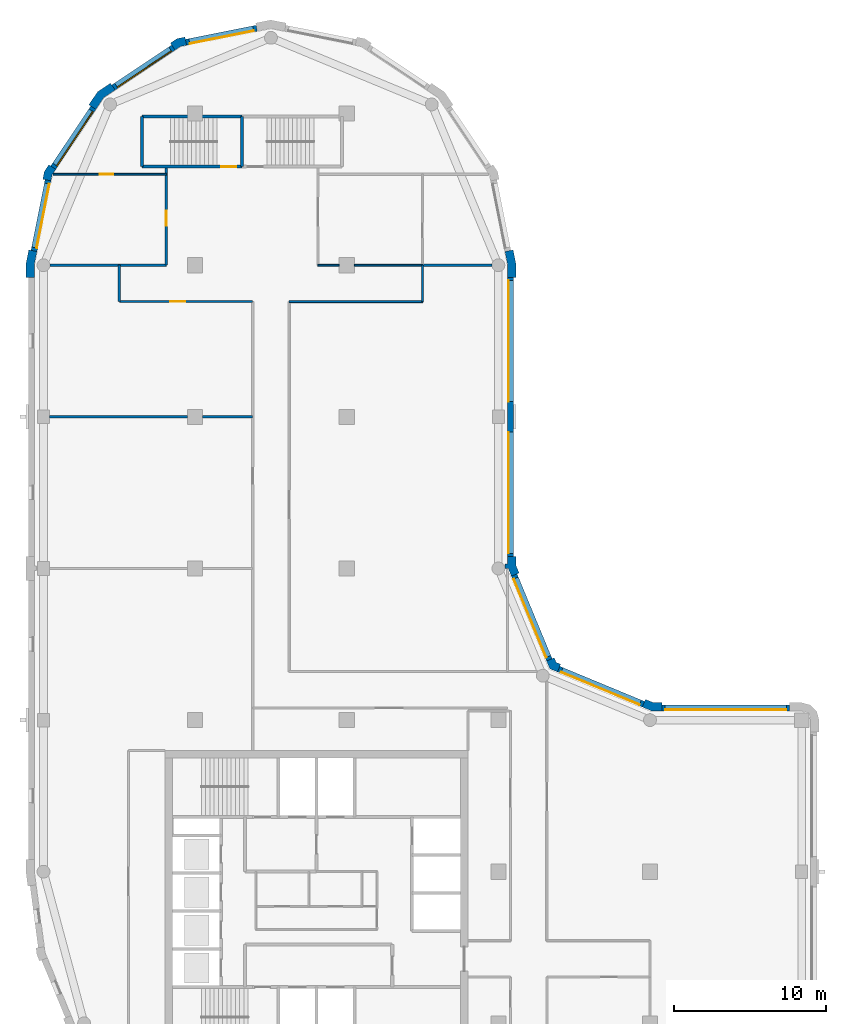
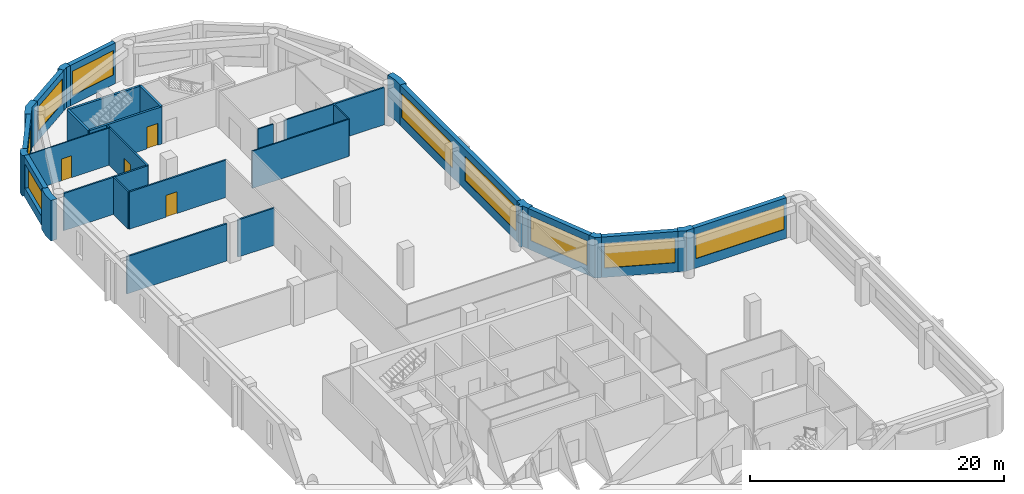
# One storey, part 5 of 9: 32 walls, 9 windows, 4 doors, 13 openings.
"""IFC4 building model written with IfcOpenShell, lengths in metres."""

from ifc_helpers import new_model, si_unit, direction, frame, frame_2d, origin, place, context, subcontext, project, spatial, polyline, rectangle, outline, extrude, material, layer, layer_set, type_object, element, fill, save


model = new_model("IFC4")

# Units and contexts
model_context = context("Model", 3, precision=1e-05, world=origin(), true_north=direction((0.0, 1.0)))
body_context = subcontext(model_context, "Body", "Model", "MODEL_VIEW")
ifc_project = project(units=[si_unit("LENGTHUNIT", "METRE"), si_unit("AREAUNIT", "SQUARE_METRE"), si_unit("VOLUMEUNIT", "CUBIC_METRE"), si_unit("PLANEANGLEUNIT", "RADIAN"), si_unit("MASSUNIT", "GRAM", prefix="KILO")], contexts=[model_context])

# Site, building, storey
site_placement = place(None, origin())
site = spatial("IfcSite", under=ifc_project, at=site_placement, CompositionType="ELEMENT")
building_placement = place(site_placement, origin())
building = spatial("IfcBuilding", under=site, at=building_placement, Name="Qaws Garden Tower", CompositionType="ELEMENT")
storey_placement = place(building_placement, frame((0.0, 0.0, 255.300048828125)))
storey = spatial("IfcBuildingStorey", under=building, at=storey_placement, Name="L61", CompositionType="ELEMENT", Elevation=255.300048828125)

# Wall, opening, window
ifc_material_1 = material(Name="Clay facing brick masonry", Category="masonry")
ifc_layer_1 = layer(ifc_material_1, 0.39990234375)
ifc_layer_set_1 = layer_set([ifc_layer_1], Name="Clay facing brick masonry")
wall_type_1 = type_object("IfcWallType", Name="Brick infill wall 400", PredefinedType="SOLIDWALL", material=ifc_layer_set_1)
wall_1_placement = place(storey_placement, frame((49.199951171875, 30.800048828125, 0.0), z_axis=(0.0, 0.0, 1.0), x_axis=(-1.0, 0.0, 0.0)))
wall_1 = element("IfcWall", 1, at=wall_1_placement, inside=storey, type_object=wall_type_1, Name="E-L61-infill-06", PredefinedType="SOLIDWALL", context=body_context, shape_type="SweptSolid", body=[
    extrude(rectangle(XDim=8.39990234375, YDim=0.39990234375, at=frame_2d((4.199951171875, 0.0))), origin(), (0.0, 0.0, 1.0), 3.89990234375),
])
opening_1_placement = place(wall_1_placement, frame((0.199951171875, 0.0, 0.89990234375)))
opening_1 = element("IfcOpeningElement", 2, at=opening_1_placement, cuts=wall_1, Name="Opening W01", PredefinedType="OPENING", context=body_context, shape_type="SweptSolid", body=[
    extrude(rectangle(XDim=8.0, YDim=2.35009765625, at=frame_2d((4.0, 1.175048828125))), frame((0.0, 0.2099609375, 0.0), z_axis=(0.0, -1.0, 0.0), x_axis=(1.0, 0.0, 0.0)), (0.0, 0.0, 1.0), 0.419921875),
])
ifc_material_2 = material(Name="Aluminium framed window, clear glazing", Category="aluminium")
window_type_1 = type_object("IfcWindowType", Name="Ribbon window 8000 x 2350", PartitioningType="DOUBLE_PANEL_VERTICAL", PredefinedType="WINDOW", material=ifc_material_2)
window_1_placement = place(opening_1_placement, origin())
window_1 = element("IfcWindow", 3, at=window_1_placement, inside=storey, type_object=window_type_1, Name="E-L61-window-06-0", OverallHeight=2.35009765625, OverallWidth=8.0, PartitioningType="SINGLE_PANEL", PredefinedType="WINDOW", context=body_context, shape_type="SweptSolid", body=[
    extrude(rectangle(XDim=8.0, YDim=2.35009765625, at=frame_2d((4.0, 1.175048828125))), frame((0.0, 0.159912109375, 0.0), z_axis=(0.0, -1.0, 0.0), x_axis=(1.0, 0.0, 0.0)), (0.0, 0.0, 1.0), 0.06005859375),
])
fill(opening_1, window_1)

wall_2_placement = place(storey_placement, frame((39.56689453125, 31.04541015625, 0.0), z_axis=(0.0, 0.0, 1.0), x_axis=(-0.923891000409, 0.382655745237, 0.0)))
wall_2 = element("IfcWall", 4, at=wall_2_placement, inside=storey, type_object=wall_type_1, Name="E-L61-infill-07", PredefinedType="SOLIDWALL", context=body_context, shape_type="SweptSolid", body=[
    extrude(rectangle(XDim=6.053466796875, YDim=0.39990234375, at=frame_2d((3.02685546875, 0.0))), origin(), (0.0, 0.0, 1.0), 3.89990234375),
])
opening_2_placement = place(wall_2_placement, frame((0.226806640625, 0.0, 0.89990234375)))
opening_2 = element("IfcOpeningElement", 5, at=opening_2_placement, cuts=wall_2, Name="Opening W04", PredefinedType="OPENING", context=body_context, shape_type="SweptSolid", body=[
    extrude(rectangle(XDim=5.60009765625, YDim=2.35009765625, at=frame_2d((2.800048828125, 1.175048828125))), frame((0.0, 0.2099609375, 0.0), z_axis=(0.0, -1.0, 0.0), x_axis=(1.0, 0.0, 0.0)), (0.0, 0.0, 1.0), 0.419921875),
])
ifc_material_3 = material(Name="Aluminium framed window, clear glazing", Category="aluminium")
window_type_2 = type_object("IfcWindowType", Name="Ribbon window 5600 x 2350", PartitioningType="DOUBLE_PANEL_VERTICAL", PredefinedType="WINDOW", material=ifc_material_3)
window_2_placement = place(opening_2_placement, origin())
window_2 = element("IfcWindow", 6, at=window_2_placement, inside=storey, type_object=window_type_2, Name="E-L61-window-07-0", OverallHeight=2.35009765625, OverallWidth=5.60009765625, PartitioningType="SINGLE_PANEL", PredefinedType="WINDOW", context=body_context, shape_type="SweptSolid", body=[
    extrude(rectangle(XDim=5.60009765625, YDim=2.35009765625, at=frame_2d((2.800048828125, 1.175048828125))), frame((0.0, 0.159912109375, 0.0), z_axis=(0.0, -1.0, 0.0), x_axis=(1.0, 0.0, 0.0)), (0.0, 0.0, 1.0), 0.06005859375),
])
fill(opening_2, window_2)

wall_3_placement = place(storey_placement, frame((33.36181640625, 33.97412109375, 0.0), z_axis=(0.0, 0.0, 1.0), x_axis=(-0.382655745237, 0.923891000409, 0.0)))
wall_3 = element("IfcWall", 7, at=wall_3_placement, inside=storey, type_object=wall_type_1, Name="E-L61-infill-08", PredefinedType="SOLIDWALL", context=body_context, shape_type="SweptSolid", body=[
    extrude(rectangle(XDim=6.053466796875, YDim=0.39990234375, at=frame_2d((3.02685546875, 0.0))), origin(), (0.0, 0.0, 1.0), 3.89990234375),
])
opening_3_placement = place(wall_3_placement, frame((0.226806640625, 0.0, 0.89990234375)))
opening_3 = element("IfcOpeningElement", 8, at=opening_3_placement, cuts=wall_3, Name="Opening W04", PredefinedType="OPENING", context=body_context, shape_type="SweptSolid", body=[
    extrude(rectangle(XDim=5.60009765625, YDim=2.35009765625, at=frame_2d((2.800048828125, 1.175048828125))), frame((0.0, 0.2099609375, 0.0), z_axis=(0.0, -1.0, 0.0), x_axis=(1.0, 0.0, 0.0)), (0.0, 0.0, 1.0), 0.419921875),
])
window_3_placement = place(opening_3_placement, origin())
window_3 = element("IfcWindow", 9, at=window_3_placement, inside=storey, type_object=window_type_2, Name="E-L61-window-08-0", OverallHeight=2.35009765625, OverallWidth=5.60009765625, PartitioningType="SINGLE_PANEL", PredefinedType="WINDOW", context=body_context, shape_type="SweptSolid", body=[
    extrude(rectangle(XDim=5.60009765625, YDim=2.35009765625, at=frame_2d((2.800048828125, 1.175048828125))), frame((0.0, 0.159912109375, 0.0), z_axis=(0.0, -1.0, 0.0), x_axis=(1.0, 0.0, 0.0)), (0.0, 0.0, 1.0), 0.06005859375),
])
fill(opening_3, window_3)

# Wall, openings, windows
wall_4_placement = place(storey_placement, frame((30.800048828125, 40.800048828125, 0.0), z_axis=(0.0, 0.0, 1.0), x_axis=(0.0, 1.0, 0.0)))
wall_4 = element("IfcWall", 10, at=wall_4_placement, inside=storey, type_object=wall_type_1, Name="E-L61-infill-09", PredefinedType="SOLIDWALL", context=body_context, shape_type="SweptSolid", body=[
    extrude(rectangle(XDim=18.39990234375, YDim=0.39990234375, at=frame_2d((9.199951171875, 0.0))), origin(), (0.0, 0.0, 1.0), 3.89990234375),
])
opening_4_placement = place(wall_4_placement, frame((0.199951171875, 0.0, 0.89990234375)))
opening_4 = element("IfcOpeningElement", 11, at=opening_4_placement, cuts=wall_4, Name="Opening W01", PredefinedType="OPENING", context=body_context, shape_type="SweptSolid", body=[
    extrude(rectangle(XDim=8.0, YDim=2.35009765625, at=frame_2d((4.0, 1.175048828125))), frame((0.0, 0.2099609375, 0.0), z_axis=(0.0, -1.0, 0.0), x_axis=(1.0, 0.0, 0.0)), (0.0, 0.0, 1.0), 0.419921875),
])
opening_5_placement = place(wall_4_placement, frame((10.199951171875, 0.0, 0.89990234375)))
opening_5 = element("IfcOpeningElement", 12, at=opening_5_placement, cuts=wall_4, Name="Opening W01", PredefinedType="OPENING", context=body_context, shape_type="SweptSolid", body=[
    extrude(rectangle(XDim=8.0, YDim=2.35009765625, at=frame_2d((4.0, 1.175048828125))), frame((0.0, 0.2099609375, 0.0), z_axis=(0.0, -1.0, 0.0), x_axis=(1.0, 0.0, 0.0)), (0.0, 0.0, 1.0), 0.419921875),
])
window_4_placement = place(opening_4_placement, origin())
window_4 = element("IfcWindow", 13, at=window_4_placement, inside=storey, type_object=window_type_1, Name="E-L61-window-09-0", OverallHeight=2.35009765625, OverallWidth=8.0, PartitioningType="SINGLE_PANEL", PredefinedType="WINDOW", context=body_context, shape_type="SweptSolid", body=[
    extrude(rectangle(XDim=8.0, YDim=2.35009765625, at=frame_2d((4.0, 1.175048828125))), frame((0.0, 0.159912109375, 0.0), z_axis=(0.0, -1.0, 0.0), x_axis=(1.0, 0.0, 0.0)), (0.0, 0.0, 1.0), 0.06005859375),
])
fill(opening_4, window_4)
window_5_placement = place(opening_5_placement, origin())
window_5 = element("IfcWindow", 14, at=window_5_placement, inside=storey, type_object=window_type_1, Name="E-L61-window-10-0", OverallHeight=2.35009765625, OverallWidth=8.0, PartitioningType="SINGLE_PANEL", PredefinedType="WINDOW", context=body_context, shape_type="SweptSolid", body=[
    extrude(rectangle(XDim=8.0, YDim=2.35009765625, at=frame_2d((4.0, 1.175048828125))), frame((0.0, 0.159912109375, 0.0), z_axis=(0.0, -1.0, 0.0), x_axis=(1.0, 0.0, 0.0)), (0.0, 0.0, 1.0), 0.06005859375),
])
fill(opening_5, window_5)

# Wall, opening, window
wall_5_placement = place(storey_placement, frame((14.059326171875, 75.628662109375, 0.0), z_axis=(0.0, 0.0, 1.0), x_axis=(-0.98078364709, -0.195098533057, 0.0)))
wall_5 = element("IfcWall", 15, at=wall_5_placement, inside=storey, type_object=wall_type_1, Name="E-L61-infill-15", PredefinedType="SOLIDWALL", context=body_context, shape_type="SweptSolid", body=[
    extrude(rectangle(XDim=4.752685546875, YDim=0.39990234375, at=frame_2d((2.37646484375, 0.0))), origin(), (0.0, 0.0, 1.0), 3.89990234375),
])
opening_6_placement = place(wall_5_placement, frame((0.226318359375, 0.0, 0.89990234375)))
opening_6 = element("IfcOpeningElement", 16, at=opening_6_placement, cuts=wall_5, Name="Opening W06", PredefinedType="OPENING", context=body_context, shape_type="SweptSolid", body=[
    extrude(rectangle(XDim=4.300048828125, YDim=2.35009765625, at=frame_2d((2.14990234375, 1.175048828125))), frame((0.0, 0.2099609375, 0.0), z_axis=(0.0, -1.0, 0.0), x_axis=(1.0, 0.0, 0.0)), (0.0, 0.0, 1.0), 0.419921875),
])
ifc_material_4 = material(Name="Aluminium framed window, clear glazing", Category="aluminium")
window_type_3 = type_object("IfcWindowType", Name="Ribbon window 4300 x 2350", PartitioningType="DOUBLE_PANEL_VERTICAL", PredefinedType="WINDOW", material=ifc_material_4)
window_6_placement = place(opening_6_placement, origin())
window_6 = element("IfcWindow", 17, at=window_6_placement, inside=storey, type_object=window_type_3, Name="E-L61-window-15-0", OverallHeight=2.35009765625, OverallWidth=4.300048828125, PartitioningType="SINGLE_PANEL", PredefinedType="WINDOW", context=body_context, shape_type="SweptSolid", body=[
    extrude(rectangle(XDim=4.300048828125, YDim=2.35009765625, at=frame_2d((2.14990234375, 1.175048828125))), frame((0.0, 0.159912109375, 0.0), z_axis=(0.0, -1.0, 0.0), x_axis=(1.0, 0.0, 0.0)), (0.0, 0.0, 1.0), 0.06005859375),
])
fill(opening_6, window_6)

wall_6_placement = place(storey_placement, frame((8.56591796875, 74.356689453125, 0.0), z_axis=(0.0, 0.0, 1.0), x_axis=(-0.831488775454, -0.555541552266, 0.0)))
wall_6 = element("IfcWall", 18, at=wall_6_placement, inside=storey, type_object=wall_type_1, Name="E-L61-infill-16", PredefinedType="SOLIDWALL", context=body_context, shape_type="SweptSolid", body=[
    extrude(rectangle(XDim=4.752685546875, YDim=0.39990234375, at=frame_2d((2.37646484375, 0.0))), origin(), (0.0, 0.0, 1.0), 3.89990234375),
])
opening_7_placement = place(wall_6_placement, frame((0.226318359375, 0.0, 0.89990234375)))
opening_7 = element("IfcOpeningElement", 19, at=opening_7_placement, cuts=wall_6, Name="Opening W06", PredefinedType="OPENING", context=body_context, shape_type="SweptSolid", body=[
    extrude(rectangle(XDim=4.300048828125, YDim=2.35009765625, at=frame_2d((2.14990234375, 1.175048828125))), frame((0.0, 0.2099609375, 0.0), z_axis=(0.0, -1.0, 0.0), x_axis=(1.0, 0.0, 0.0)), (0.0, 0.0, 1.0), 0.419921875),
])
window_7_placement = place(opening_7_placement, origin())
window_7 = element("IfcWindow", 20, at=window_7_placement, inside=storey, type_object=window_type_3, Name="E-L61-window-16-0", OverallHeight=2.35009765625, OverallWidth=4.300048828125, PartitioningType="SINGLE_PANEL", PredefinedType="WINDOW", context=body_context, shape_type="SweptSolid", body=[
    extrude(rectangle(XDim=4.300048828125, YDim=2.35009765625, at=frame_2d((2.14990234375, 1.175048828125))), frame((0.0, 0.159912109375, 0.0), z_axis=(0.0, -1.0, 0.0), x_axis=(1.0, 0.0, 0.0)), (0.0, 0.0, 1.0), 0.06005859375),
])
fill(opening_7, window_7)

wall_7_placement = place(storey_placement, frame((3.28369140625, 70.385986328125, 0.0), z_axis=(0.0, 0.0, 1.0), x_axis=(-0.555541552266, -0.831488775454, 0.0)))
wall_7 = element("IfcWall", 21, at=wall_7_placement, inside=storey, type_object=wall_type_1, Name="E-L61-infill-17", PredefinedType="SOLIDWALL", context=body_context, shape_type="SweptSolid", body=[
    extrude(rectangle(XDim=4.752685546875, YDim=0.39990234375, at=frame_2d((2.37646484375, 0.0))), origin(), (0.0, 0.0, 1.0), 3.89990234375),
])
opening_8_placement = place(wall_7_placement, frame((0.226318359375, 0.0, 0.89990234375)))
opening_8 = element("IfcOpeningElement", 22, at=opening_8_placement, cuts=wall_7, Name="Opening W06", PredefinedType="OPENING", context=body_context, shape_type="SweptSolid", body=[
    extrude(rectangle(XDim=4.300048828125, YDim=2.35009765625, at=frame_2d((2.14990234375, 1.175048828125))), frame((0.0, 0.2099609375, 0.0), z_axis=(0.0, -1.0, 0.0), x_axis=(1.0, 0.0, 0.0)), (0.0, 0.0, 1.0), 0.419921875),
])
window_8_placement = place(opening_8_placement, origin())
window_8 = element("IfcWindow", 23, at=window_8_placement, inside=storey, type_object=window_type_3, Name="E-L61-window-17-0", OverallHeight=2.35009765625, OverallWidth=4.300048828125, PartitioningType="SINGLE_PANEL", PredefinedType="WINDOW", context=body_context, shape_type="SweptSolid", body=[
    extrude(rectangle(XDim=4.300048828125, YDim=2.35009765625, at=frame_2d((2.14990234375, 1.175048828125))), frame((0.0, 0.159912109375, 0.0), z_axis=(0.0, -1.0, 0.0), x_axis=(1.0, 0.0, 0.0)), (0.0, 0.0, 1.0), 0.06005859375),
])
fill(opening_8, window_8)

wall_8_placement = place(storey_placement, frame((0.298583984375, 65.60205078125, 0.0), z_axis=(0.0, 0.0, 1.0), x_axis=(-0.195098533057, -0.98078364709, 0.0)))
wall_8 = element("IfcWall", 24, at=wall_8_placement, inside=storey, type_object=wall_type_1, Name="E-L61-infill-18", PredefinedType="SOLIDWALL", context=body_context, shape_type="SweptSolid", body=[
    extrude(rectangle(XDim=4.752685546875, YDim=0.39990234375, at=frame_2d((2.37646484375, 0.0))), origin(), (0.0, 0.0, 1.0), 3.89990234375),
])
opening_9_placement = place(wall_8_placement, frame((0.226318359375, 0.0, 0.89990234375)))
opening_9 = element("IfcOpeningElement", 25, at=opening_9_placement, cuts=wall_8, Name="Opening W06", PredefinedType="OPENING", context=body_context, shape_type="SweptSolid", body=[
    extrude(rectangle(XDim=4.300048828125, YDim=2.35009765625, at=frame_2d((2.14990234375, 1.175048828125))), frame((0.0, 0.2099609375, 0.0), z_axis=(0.0, -1.0, 0.0), x_axis=(1.0, 0.0, 0.0)), (0.0, 0.0, 1.0), 0.419921875),
])
window_9_placement = place(opening_9_placement, origin())
window_9 = element("IfcWindow", 26, at=window_9_placement, inside=storey, type_object=window_type_3, Name="E-L61-window-18-0", OverallHeight=2.35009765625, OverallWidth=4.300048828125, PartitioningType="SINGLE_PANEL", PredefinedType="WINDOW", context=body_context, shape_type="SweptSolid", body=[
    extrude(rectangle(XDim=4.300048828125, YDim=2.35009765625, at=frame_2d((2.14990234375, 1.175048828125))), frame((0.0, 0.159912109375, 0.0), z_axis=(0.0, -1.0, 0.0), x_axis=(1.0, 0.0, 0.0)), (0.0, 0.0, 1.0), 0.06005859375),
])
fill(opening_9, window_9)

# Walls
ifc_material_5 = material(Name="Clay facing brick masonry", Category="masonry")
ifc_layer_2 = layer(ifc_material_5, 0.550048828125)
ifc_layer_set_2 = layer_set([ifc_layer_2], Name="Clay facing brick masonry")
wall_type_2 = type_object("IfcWallType", Name="Brick kink pier 550 x 600", PredefinedType="SOLIDWALL", material=ifc_layer_set_2)
placement = place(storey_placement, origin())
element("IfcWall", 27, at=placement, inside=storey, type_object=wall_type_2, Name="E-L61-pier-16", PredefinedType="SOLIDWALL", context=body_context, shape_type="SweptSolid", body=[
    extrude(outline(polyline([(9.35888671875, 74.8974609375), (9.32958984375, 75.044677734375), (8.81103515625, 74.94140625), (8.371337890625, 74.647705078125), (8.454833984375, 74.52294921875), (8.677001953125, 74.1904296875), (9.025634765625, 74.42333984375), (9.43701171875, 74.505126953125), (9.35888671875, 74.8974609375)])), origin(), (0.0, 0.0, 1.0), 3.89990234375),
])
element("IfcWall", 28, at=placement, inside=storey, type_object=wall_type_2, Name="E-L61-pier-18", PredefinedType="SOLIDWALL", context=body_context, shape_type="SweptSolid", body=[
    extrude(outline(polyline([(0.47705078125, 66.545166015625), (0.352294921875, 66.628662109375), (0.05859375, 66.18896484375), (-0.044677734375, 65.67041015625), (0.1025390625, 65.64111328125), (0.494873046875, 65.56298828125), (0.57666015625, 65.974365234375), (0.8095703125, 66.322998046875), (0.47705078125, 66.545166015625)])), origin(), (0.0, 0.0, 1.0), 3.89990234375),
])
ifc_material_6 = material(Name="Clay facing brick masonry", Category="masonry")
ifc_layer_3 = layer(ifc_material_6, 0.550048828125)
ifc_layer_set_3 = layer_set([ifc_layer_3], Name="Clay facing brick masonry")
wall_type_3 = type_object("IfcWallType", Name="Brick pier 550 x 1600", PredefinedType="SOLIDWALL", material=ifc_layer_set_3)
element("IfcWall", 29, at=placement, inside=storey, type_object=wall_type_3, Name="E-L61-pier-07", PredefinedType="SOLIDWALL", context=body_context, shape_type="SweptSolid", body=[
    extrude(outline(polyline([(40.800048828125, 31.0), (40.800048828125, 31.14990234375), (40.228759765625, 31.14990234375), (39.700927734375, 31.36865234375), (39.6435546875, 31.22998046875), (39.490478515625, 30.860595703125), (40.119384765625, 30.60009765625), (40.800048828125, 30.60009765625), (40.800048828125, 31.0)])), origin(), (0.0, 0.0, 1.0), 3.89990234375),
])
element("IfcWall", 30, at=placement, inside=storey, type_object=wall_type_3, Name="E-L61-pier-08", PredefinedType="SOLIDWALL", context=body_context, shape_type="SweptSolid", body=[
    extrude(outline(polyline([(34.05078125, 33.546630859375), (34.108154296875, 33.685302734375), (33.80908203125, 33.80908203125), (33.685302734375, 34.108154296875), (33.546630859375, 34.05078125), (33.177001953125, 33.897705078125), (33.38818359375, 33.38818359375), (33.897705078125, 33.177001953125), (34.05078125, 33.546630859375)])), origin(), (0.0, 0.0, 1.0), 3.89990234375),
])
element("IfcWall", 31, at=placement, inside=storey, type_object=wall_type_3, Name="E-L61-pier-09", PredefinedType="SOLIDWALL", context=body_context, shape_type="SweptSolid", body=[
    extrude(outline(polyline([(30.6201171875, 39.995361328125), (30.6201171875, 40.071044921875), (30.860595703125, 39.490478515625), (31.22998046875, 39.6435546875), (31.36865234375, 39.700927734375), (31.14990234375, 40.228759765625), (31.14990234375, 40.800048828125), (31.0, 40.800048828125), (30.60009765625, 40.800048828125), (30.60009765625, 40.29541015625), (30.425048828125, 40.29541015625), (30.425048828125, 39.995361328125), (30.6201171875, 39.995361328125)])), origin(), (0.0, 0.0, 1.0), 3.89990234375),
])
element("IfcWall", 32, at=placement, inside=storey, type_object=wall_type_3, Name="E-L61-pier-11", PredefinedType="SOLIDWALL", context=body_context, shape_type="SweptSolid", body=[
    extrude(outline(polyline([(31.0, 59.199951171875), (31.14990234375, 59.199951171875), (31.14990234375, 60.11328125), (30.971923828125, 61.009033203125), (30.82470703125, 60.979736328125), (30.432373046875, 60.901611328125), (30.60009765625, 60.05908203125), (30.60009765625, 59.199951171875), (31.0, 59.199951171875)])), origin(), (0.0, 0.0, 1.0), 3.89990234375),
])
element("IfcWall", 33, at=placement, inside=storey, type_object=wall_type_3, Name="E-L61-pier-17", PredefinedType="SOLIDWALL", context=body_context, shape_type="SweptSolid", body=[
    extrude(outline(polyline([(4.5029296875, 71.882568359375), (4.419677734375, 72.00732421875), (3.564208984375, 71.435791015625), (2.99267578125, 70.580322265625), (3.117431640625, 70.4970703125), (3.449951171875, 70.274658203125), (3.9609375, 71.0390625), (4.725341796875, 71.550048828125), (4.5029296875, 71.882568359375)])), origin(), (0.0, 0.0, 1.0), 3.89990234375),
])
element("IfcWall", 34, at=placement, inside=storey, type_object=wall_type_3, Name="E-L61-pier-19", PredefinedType="SOLIDWALL", context=body_context, shape_type="SweptSolid", body=[
    extrude(outline(polyline([(-0.82470703125, 60.979736328125), (-0.971923828125, 61.009033203125), (-1.14990234375, 60.11328125), (-1.14990234375, 59.199951171875), (-1.0, 59.199951171875), (-0.60009765625, 59.199951171875), (-0.60009765625, 60.05908203125), (-0.432373046875, 60.901611328125), (-0.82470703125, 60.979736328125)])), origin(), (0.0, 0.0, 1.0), 3.89990234375),
])

# Wall, opening, door
ifc_material_7 = material(Name="Concrete C60", Category="concrete")
ifc_layer_4 = layer(ifc_material_7, 0.199951171875)
ifc_layer_set_4 = layer_set([ifc_layer_4], Name="Concrete C60")
wall_type_4 = type_object("IfcWallType", Name="Core shaft wall 200 C60", PredefinedType="SHEAR", material=ifc_layer_set_4)
wall_17_placement = place(storey_placement, frame((6.5, 66.5, 0.0), z_axis=(0.0, 0.0, 1.0), x_axis=(1.0, 0.0, 0.0)))
wall_17 = element("IfcWall", 35, at=wall_17_placement, inside=storey, type_object=wall_type_4, Name="Shaft wall", PredefinedType="SHEAR", context=body_context, shape_type="SweptSolid", body=[
    extrude(rectangle(XDim=6.60009765625, YDim=0.199951171875, at=frame_2d((3.300048828125, 0.0))), origin(), (0.0, 0.0, 1.0), 3.579833984375),
])
opening_10_placement = place(wall_17_placement, frame((5.22509765625, 0.0, 0.0)))
opening_10 = element("IfcOpeningElement", 36, at=opening_10_placement, cuts=wall_17, Name="Opening SD13", PredefinedType="OPENING", context=body_context, shape_type="SweptSolid", body=[
    extrude(rectangle(XDim=1.0, YDim=2.10009765625, at=frame_2d((0.5, 1.050048828125))), frame((0.0, 0.10986328125, 0.0), z_axis=(0.0, -1.0, 0.0), x_axis=(1.0, 0.0, 0.0)), (0.0, 0.0, 1.0), 0.219970703125),
])
ifc_material_8 = material(Name="Steel S235", Category="steel")
door_type_1 = type_object("IfcDoorType", Name="Stair door 1000x2100", OperationType="SINGLE_SWING_RIGHT", PredefinedType="DOOR", material=ifc_material_8)
door_1_placement = place(opening_10_placement, origin())
door_1 = element("IfcDoor", 37, at=door_1_placement, inside=storey, type_object=door_type_1, Name="Stair 6 door", OperationType="SINGLE_SWING_RIGHT", OverallHeight=2.10009765625, OverallWidth=1.0, PredefinedType="DOOR", context=body_context, shape_type="SweptSolid", body=[
    extrude(rectangle(XDim=1.0, YDim=2.10009765625, at=frame_2d((0.5, 1.050048828125))), frame((0.0, 0.02490234375, 0.0), z_axis=(0.0, -1.0, 0.0), x_axis=(1.0, 0.0, 0.0)), (0.0, 0.0, 1.0), 0.050048828125),
])
fill(opening_10, door_1)

# Walls
wall_18_placement = place(storey_placement, frame((6.5, 69.800048828125, 0.0), z_axis=(0.0, 0.0, 1.0), x_axis=(1.0, 0.0, 0.0)))
element("IfcWall", 38, at=wall_18_placement, inside=storey, type_object=wall_type_4, Name="Shaft wall", PredefinedType="SHEAR", context=body_context, shape_type="SweptSolid", body=[
    extrude(rectangle(XDim=6.60009765625, YDim=0.199951171875, at=frame_2d((3.300048828125, 0.0))), origin(), (0.0, 0.0, 1.0), 3.579833984375),
])
for number, where, z_axis, x_axis, name in (
    (39, (6.5, 66.5, 0.0), (0.0, 0.0, 1.0), (0.0, 1.0, 0.0), "Shaft wall"),
    (40, (13.10009765625, 66.5, 0.0), (0.0, 0.0, 1.0), (0.0, 1.0, 0.0), "Shaft wall"),
):
    element("IfcWall", number, at=place(storey_placement, frame(where, z_axis=z_axis, x_axis=x_axis)), inside=storey, type_object=wall_type_4, Name=name, PredefinedType="SHEAR", context=body_context, shape_type="SweptSolid", body=[
        extrude(rectangle(XDim=3.300048828125, YDim=0.199951171875, at=frame_2d((1.64990234375, 0.0))), origin(), (0.0, 0.0, 1.0), 3.579833984375),
    ])
ifc_material_9 = material(Name="Glass and aluminium framing", Category="aluminium")
ifc_layer_5 = layer(ifc_material_9, 0.1201171875)
ifc_layer_set_5 = layer_set([ifc_layer_5], Name="Glass and aluminium framing")
wall_type_5 = type_object("IfcWallType", Name="GLAZED PARTITION 120 EI 30", PredefinedType="PARTITIONING", material=ifc_layer_set_5)
wall_19_placement = place(storey_placement, frame((25.0, 57.60009765625, 0.0), z_axis=(0.0, 0.0, 1.0), x_axis=(0.0, 1.0, 0.0)))
element("IfcWall", 41, at=wall_19_placement, inside=storey, type_object=wall_type_5, Name="O-L61-wall-038", PredefinedType="PARTITIONING", context=body_context, shape_type="SweptSolid", body=[
    extrude(rectangle(XDim=2.39990234375, YDim=0.1201171875, at=frame_2d((1.199951171875, 0.0))), origin(), (0.0, 0.0, 1.0), 3.579833984375),
])
wall_20_placement = place(storey_placement, frame((16.199951171875, 57.60009765625, 0.0), z_axis=(0.0, 0.0, 1.0), x_axis=(1.0, 0.0, 0.0)))
element("IfcWall", 42, at=wall_20_placement, inside=storey, type_object=wall_type_5, Name="O-L61-wall-046", PredefinedType="PARTITIONING", context=body_context, shape_type="SweptSolid", body=[
    extrude(rectangle(XDim=8.800048828125, YDim=0.1201171875, at=frame_2d((4.39990234375, 0.0))), origin(), (0.0, 0.0, 1.0), 3.579833984375),
])
wall_21_placement = place(storey_placement, frame((18.10009765625, 60.0, 0.0), z_axis=(0.0, 0.0, 1.0), x_axis=(1.0, 0.0, 0.0)))
element("IfcWall", 43, at=wall_21_placement, inside=storey, type_object=wall_type_5, Name="O-L61-wall-047", PredefinedType="PARTITIONING", context=body_context, shape_type="SweptSolid", body=[
    extrude(rectangle(XDim=1.39990234375, YDim=0.1201171875, at=frame_2d((0.699951171875, 0.0))), origin(), (0.0, 0.0, 1.0), 3.579833984375),
])
wall_22_placement = place(storey_placement, frame((20.5, 60.0, 0.0), z_axis=(0.0, 0.0, 1.0), x_axis=(1.0, 0.0, 0.0)))
element("IfcWall", 44, at=wall_22_placement, inside=storey, type_object=wall_type_5, Name="O-L61-wall-048", PredefinedType="PARTITIONING", context=body_context, shape_type="SweptSolid", body=[
    extrude(rectangle(XDim=4.5, YDim=0.1201171875, at=frame_2d((2.25, 0.0))), origin(), (0.0, 0.0, 1.0), 3.579833984375),
])

# Wall, opening, door
ifc_material_10 = material(Name="Gypsum board partition")
ifc_layer_6 = layer(ifc_material_10, 0.10009765625)
ifc_layer_set_6 = layer_set([ifc_layer_6], Name="Gypsum board partition")
wall_type_6 = type_object("IfcWallType", Name="PARTITION 100", PredefinedType="PARTITIONING", material=ifc_layer_set_6)
wall_23_placement = place(storey_placement, frame((0.627197265625, 66.0, 0.0), z_axis=(0.0, 0.0, 1.0), x_axis=(1.0, 0.0, 0.0)))
wall_23 = element("IfcWall", 45, at=wall_23_placement, inside=storey, type_object=wall_type_6, Name="O-L61-wall-002", PredefinedType="PARTITIONING", context=body_context, shape_type="SweptSolid", body=[
    extrude(rectangle(XDim=7.472900390625, YDim=0.10009765625, at=frame_2d((3.736328125, 0.0))), origin(), (0.0, 0.0, 1.0), 3.579833984375),
])
opening_11_placement = place(wall_23_placement, frame((3.080810546875, 0.0, 0.0)))
opening_11 = element("IfcOpeningElement", 46, at=opening_11_placement, cuts=wall_23, Name="Opening C117", PredefinedType="OPENING", context=body_context, shape_type="SweptSolid", body=[
    extrude(rectangle(XDim=0.89990234375, YDim=2.10009765625, at=frame_2d((0.449951171875, 1.050048828125))), frame((0.0, 0.06005859375, 0.0), z_axis=(0.0, -1.0, 0.0), x_axis=(1.0, 0.0, 0.0)), (0.0, 0.0, 1.0), 0.1201171875),
])
ifc_material_11 = material(Name="Timber door leaf", Category="wood")
door_type_2 = type_object("IfcDoorType", Name="OFFICE DOOR 900 X 2100", OperationType="SINGLE_SWING_LEFT", PredefinedType="DOOR", material=ifc_material_11)
door_2_placement = place(opening_11_placement, frame((0.89990234375, 0.0, 0.0), z_axis=(0.0, 0.0, 1.0), x_axis=(-1.0, 0.0, 0.0)))
door_2 = element("IfcDoor", 47, at=door_2_placement, inside=storey, type_object=door_type_2, Name="O-L61-door-017", OperationType="SINGLE_SWING_LEFT", OverallHeight=2.10009765625, OverallWidth=0.89990234375, PredefinedType="DOOR", context=body_context, shape_type="SweptSolid", body=[
    extrude(rectangle(XDim=0.89990234375, YDim=2.10009765625, at=frame_2d((0.449951171875, 1.050048828125))), frame((0.0, 0.02490234375, 0.0), z_axis=(0.0, -1.0, 0.0), x_axis=(1.0, 0.0, 0.0)), (0.0, 0.0, 1.0), 0.050048828125),
])
fill(opening_11, door_2)

# Wall
ifc_material_12 = material(Name="Gypsum board partition")
ifc_layer_7 = layer(ifc_material_12, 0.14990234375)
ifc_layer_set_7 = layer_set([ifc_layer_7], Name="Gypsum board partition")
wall_type_7 = type_object("IfcWallType", Name="PARTITION 150 EI 60", PredefinedType="PARTITIONING", material=ifc_layer_set_7)
wall_24_placement = place(storey_placement, frame((5.0, 57.60009765625, 0.0), z_axis=(0.0, 0.0, 1.0), x_axis=(0.0, 1.0, 0.0)))
element("IfcWall", 48, at=wall_24_placement, inside=storey, type_object=wall_type_7, Name="O-L61-wall-003", PredefinedType="PARTITIONING", context=body_context, shape_type="SweptSolid", body=[
    extrude(rectangle(XDim=2.39990234375, YDim=0.14990234375, at=frame_2d((1.199951171875, 0.0))), origin(), (0.0, 0.0, 1.0), 3.579833984375),
])

# Wall, opening, door
wall_25_placement = place(storey_placement, frame((8.10009765625, 60.0, 0.0), z_axis=(0.0, 0.0, 1.0), x_axis=(0.0, 1.0, 0.0)))
wall_25 = element("IfcWall", 49, at=wall_25_placement, inside=storey, type_object=wall_type_7, Name="O-L61-wall-005", PredefinedType="PARTITIONING", context=body_context, shape_type="SweptSolid", body=[
    extrude(rectangle(XDim=6.39990234375, YDim=0.14990234375, at=frame_2d((3.199951171875, 0.0))), origin(), (0.0, 0.0, 1.0), 3.579833984375),
])
opening_12_placement = place(wall_25_placement, frame((2.60009765625, 0.0, 0.0)))
opening_12 = element("IfcOpeningElement", 50, at=opening_12_placement, cuts=wall_25, Name="Opening C105", PredefinedType="OPENING", context=body_context, shape_type="SweptSolid", body=[
    extrude(rectangle(XDim=1.0, YDim=2.10009765625, at=frame_2d((0.5, 1.050048828125))), frame((0.0, 0.0849609375, 0.0), z_axis=(0.0, -1.0, 0.0), x_axis=(1.0, 0.0, 0.0)), (0.0, 0.0, 1.0), 0.169921875),
])
ifc_material_13 = material(Name="Timber door leaf", Category="wood")
door_type_3 = type_object("IfcDoorType", Name="TENANCY ENTRANCE DOOR 1000 X 2100", OperationType="SINGLE_SWING_LEFT", PredefinedType="DOOR", material=ifc_material_13)
door_3_placement = place(opening_12_placement, origin())
door_3 = element("IfcDoor", 51, at=door_3_placement, inside=storey, type_object=door_type_3, Name="O-L61-door-005", OperationType="SINGLE_SWING_LEFT", OverallHeight=2.10009765625, OverallWidth=1.0, PredefinedType="DOOR", context=body_context, shape_type="SweptSolid", body=[
    extrude(rectangle(XDim=1.0, YDim=2.10009765625, at=frame_2d((0.5, 1.050048828125))), frame((0.0, 0.02490234375, 0.0), z_axis=(0.0, -1.0, 0.0), x_axis=(1.0, 0.0, 0.0)), (0.0, 0.0, 1.0), 0.050048828125),
])
fill(opening_12, door_3)

# Walls
wall_26_placement = place(storey_placement, frame((0.39990234375, 50.0, 0.0), z_axis=(0.0, 0.0, 1.0), x_axis=(1.0, 0.0, 0.0)))
element("IfcWall", 52, at=wall_26_placement, inside=storey, type_object=wall_type_7, Name="O-L61-wall-030", PredefinedType="PARTITIONING", context=body_context, shape_type="SweptSolid", body=[
    extrude(rectangle(XDim=9.10009765625, YDim=0.14990234375, at=frame_2d((4.550048828125, 0.0))), origin(), (0.0, 0.0, 1.0), 3.579833984375),
])
wall_27_placement = place(storey_placement, frame((10.5, 50.0, 0.0), z_axis=(0.0, 0.0, 1.0), x_axis=(1.0, 0.0, 0.0)))
element("IfcWall", 53, at=wall_27_placement, inside=storey, type_object=wall_type_7, Name="O-L61-wall-031", PredefinedType="PARTITIONING", context=body_context, shape_type="SweptSolid", body=[
    extrude(rectangle(XDim=3.300048828125, YDim=0.14990234375, at=frame_2d((1.64990234375, 0.0))), origin(), (0.0, 0.0, 1.0), 3.579833984375),
])

# Wall, opening, door
wall_28_placement = place(storey_placement, frame((5.0, 57.60009765625, 0.0), z_axis=(0.0, 0.0, 1.0), x_axis=(1.0, 0.0, 0.0)))
wall_28 = element("IfcWall", 54, at=wall_28_placement, inside=storey, type_object=wall_type_7, Name="O-L61-wall-032", PredefinedType="PARTITIONING", context=body_context, shape_type="SweptSolid", body=[
    extrude(rectangle(XDim=8.800048828125, YDim=0.14990234375, at=frame_2d((4.39990234375, 0.0))), origin(), (0.0, 0.0, 1.0), 3.579833984375),
])
opening_13_placement = place(wall_28_placement, frame((3.35009765625, 0.0, 0.0)))
opening_13 = element("IfcOpeningElement", 55, at=opening_13_placement, cuts=wall_28, Name="Opening C103", PredefinedType="OPENING", context=body_context, shape_type="SweptSolid", body=[
    extrude(rectangle(XDim=1.0, YDim=2.10009765625, at=frame_2d((0.5, 1.050048828125))), frame((0.0, 0.0849609375, 0.0), z_axis=(0.0, -1.0, 0.0), x_axis=(1.0, 0.0, 0.0)), (0.0, 0.0, 1.0), 0.169921875),
])
door_4_placement = place(opening_13_placement, frame((1.0, 0.0, 0.0), z_axis=(0.0, 0.0, 1.0), x_axis=(-1.0, 0.0, 0.0)))
door_4 = element("IfcDoor", 56, at=door_4_placement, inside=storey, type_object=door_type_3, Name="O-L61-door-003", OperationType="SINGLE_SWING_LEFT", OverallHeight=2.10009765625, OverallWidth=1.0, PredefinedType="DOOR", context=body_context, shape_type="SweptSolid", body=[
    extrude(rectangle(XDim=1.0, YDim=2.10009765625, at=frame_2d((0.5, 1.050048828125))), frame((0.0, 0.02490234375, 0.0), z_axis=(0.0, -1.0, 0.0), x_axis=(1.0, 0.0, 0.0)), (0.0, 0.0, 1.0), 0.050048828125),
])
fill(opening_13, door_4)

# Walls
wall_29_placement = place(storey_placement, frame((0.425048828125, 60.0, 0.0), z_axis=(0.0, 0.0, 1.0), x_axis=(1.0, 0.0, 0.0)))
element("IfcWall", 57, at=wall_29_placement, inside=storey, type_object=wall_type_7, Name="O-L61-wall-033", PredefinedType="PARTITIONING", context=body_context, shape_type="SweptSolid", body=[
    extrude(rectangle(XDim=7.675048828125, YDim=0.14990234375, at=frame_2d((3.83740234375, 0.0))), origin(), (0.0, 0.0, 1.0), 3.579833984375),
])
wall_30_placement = place(storey_placement, frame((25.0, 60.0, 0.0), z_axis=(0.0, 0.0, 1.0), x_axis=(1.0, 0.0, 0.0)))
element("IfcWall", 58, at=wall_30_placement, inside=storey, type_object=wall_type_7, Name="O-L61-wall-034", PredefinedType="PARTITIONING", context=body_context, shape_type="SweptSolid", body=[
    extrude(rectangle(XDim=4.574951171875, YDim=0.14990234375, at=frame_2d((2.28759765625, 0.0))), origin(), (0.0, 0.0, 1.0), 3.579833984375),
])

save(model, "model.ifc")
